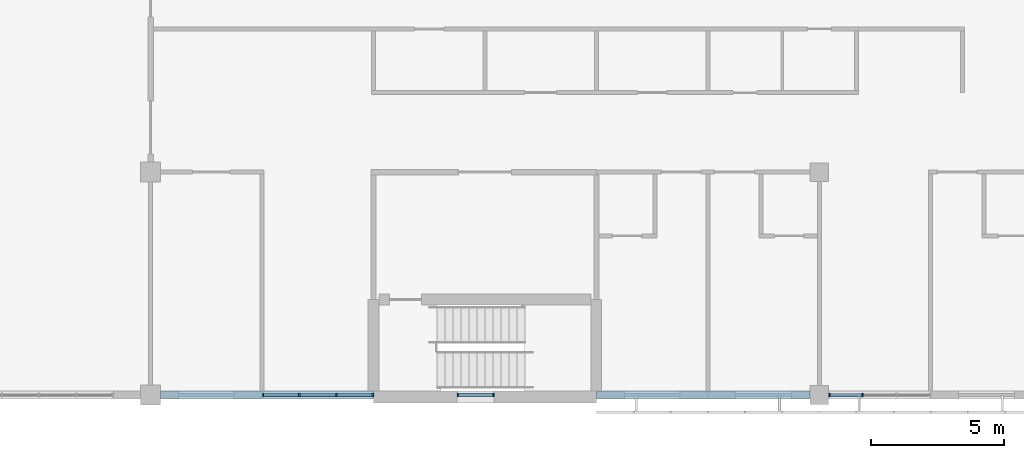
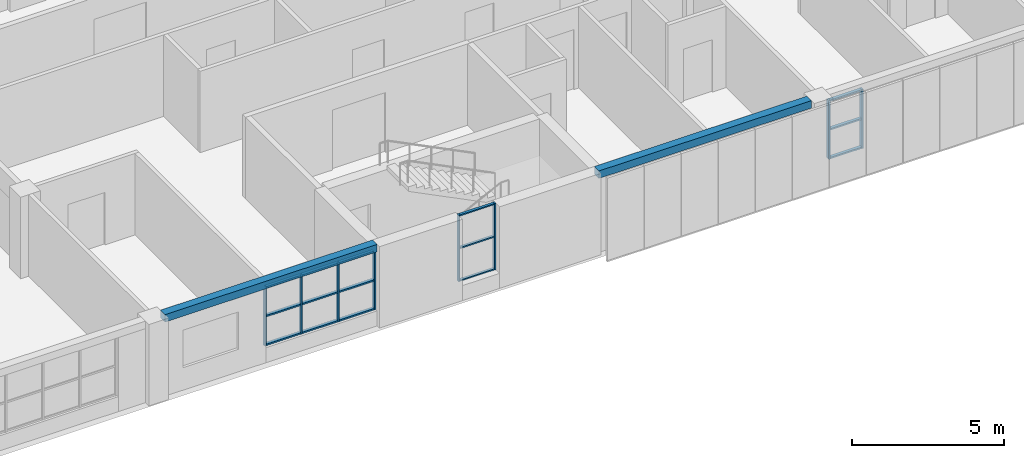
# One storey, part 15 of 45: 23 members, 2 beams, 3 elements without a shape of their own.
"""IFC4 building model written with IfcOpenShell, lengths in metres."""

from ifc_helpers import new_model, si_unit, direction, frame, origin, origin_2d, place, context, subcontext, project, spatial, rectangle, extrude, material, material_profile, profile_set, type_object, element, aggregate, save


model = new_model("IFC4")

# Units and contexts
model_context = context("Model", 3, precision=1e-05, world=origin(), true_north=direction((0.0, 1.0)))
body_context = subcontext(model_context, "Body", "Model", "MODEL_VIEW")
ifc_project = project(units=[si_unit("LENGTHUNIT", "METRE"), si_unit("AREAUNIT", "SQUARE_METRE"), si_unit("VOLUMEUNIT", "CUBIC_METRE"), si_unit("PLANEANGLEUNIT", "RADIAN"), si_unit("MASSUNIT", "GRAM", prefix="KILO")], contexts=[model_context])

# Site, building, storey
site_placement = place(None, origin())
site = spatial("IfcSite", under=ifc_project, at=site_placement, CompositionType="ELEMENT")
building_placement = place(site_placement, origin())
building = spatial("IfcBuilding", under=site, at=building_placement, Name="Yavir Park General Hospital", CompositionType="ELEMENT")
storey_placement = place(building_placement, frame((0.0, 0.0, 22.5)))
storey = spatial("IfcBuildingStorey", under=building, at=storey_placement, Name="L05", CompositionType="ELEMENT", Elevation=22.5)

# Curtain wall, members
ifc_material_1 = material(Name="Aluminium curtain wall frame with insulated glazing", Category="aluminium")
curtain_wall_type_1 = type_object("IfcCurtainWallType", Name="Day room pocket glazing, ward floors, 2360 high, 1400 module", PredefinedType="NOTDEFINED", material=ifc_material_1)
curtain_wall_1_placement = place(storey_placement, origin())
curtain_wall_1 = element("IfcCurtainWall", 1, at=curtain_wall_1_placement, inside=storey, type_object=curtain_wall_type_1, Name="CW6 L05-007", PredefinedType="NOTDEFINED")
ifc_material_2 = material(Name="Aluminium", Category="aluminium")
ifc_material_profile_1 = material_profile(ifc_material_2, rectangle(XDim=0.139892578125, YDim=0.06005859375, at=origin_2d()), Name="AL 60x140")
ifc_profile_set_1 = profile_set([ifc_material_profile_1], Name="Aluminium")
member_type_1 = type_object("IfcMemberType", Name="Day room pocket glazing, ward floors, 2360 high mullion 60 x 140", PredefinedType="MULLION", material=ifc_profile_set_1)
member_1_placement = place(storey_placement, frame((130.22998046875, 0.0, 0.60009765625), z_axis=(0.0, 0.0, 1.0), x_axis=(0.0, 1.0, 0.0)))
member_1 = element("IfcMember", 2, at=member_1_placement, type_object=member_type_1, Name="CW6 mullion 1", PredefinedType="MULLION", context=body_context, shape_type="SweptSolid", body=[
    extrude(rectangle(XDim=0.139892578125, YDim=0.06005859375, at=origin_2d()), origin(), (0.0, 0.0, 1.0), 2.35986328125),
])
member_2_placement = place(storey_placement, frame((131.60009765625, 0.0, 0.60009765625), z_axis=(0.0, 0.0, 1.0), x_axis=(0.0, 1.0, 0.0)))
member_2 = element("IfcMember", 3, at=member_2_placement, type_object=member_type_1, Name="CW6 mullion 2", PredefinedType="MULLION", context=body_context, shape_type="SweptSolid", body=[
    extrude(rectangle(XDim=0.139892578125, YDim=0.06005859375, at=origin_2d()), origin(), (0.0, 0.0, 1.0), 2.35986328125),
])
member_3_placement = place(storey_placement, frame((133.0, 0.0, 0.60009765625), z_axis=(0.0, 0.0, 1.0), x_axis=(0.0, 1.0, 0.0)))
member_3 = element("IfcMember", 4, at=member_3_placement, type_object=member_type_1, Name="CW6 mullion 3", PredefinedType="MULLION", context=body_context, shape_type="SweptSolid", body=[
    extrude(rectangle(XDim=0.139892578125, YDim=0.06005859375, at=origin_2d()), origin(), (0.0, 0.0, 1.0), 2.35986328125),
])
member_4_placement = place(storey_placement, frame((134.3701171875, 0.0, 0.60009765625), z_axis=(0.0, 0.0, 1.0), x_axis=(0.0, 1.0, 0.0)))
member_4 = element("IfcMember", 5, at=member_4_placement, type_object=member_type_1, Name="CW6 mullion 4", PredefinedType="MULLION", context=body_context, shape_type="SweptSolid", body=[
    extrude(rectangle(XDim=0.139892578125, YDim=0.06005859375, at=origin_2d()), origin(), (0.0, 0.0, 1.0), 2.35986328125),
])

curtain_wall_2_placement = place(storey_placement, origin())
curtain_wall_2 = element("IfcCurtainWall", 6, at=curtain_wall_2_placement, inside=storey, type_object=curtain_wall_type_1, Name="CW6 L05-009", PredefinedType="NOTDEFINED")
member_5_placement = place(storey_placement, frame((151.580078125, 0.0, 0.60009765625), z_axis=(0.0, 0.0, 1.0), x_axis=(0.0, 1.0, 0.0)))
member_5 = element("IfcMember", 7, at=member_5_placement, type_object=member_type_1, Name="CW6 mullion 1", PredefinedType="MULLION", context=body_context, shape_type="SweptSolid", body=[
    extrude(rectangle(XDim=0.139892578125, YDim=0.06005859375, at=origin_2d()), origin(), (0.0, 0.0, 1.0), 2.35986328125),
])
member_6_placement = place(storey_placement, frame((152.833251953125, 0.0, 0.60009765625), z_axis=(0.0, 0.0, 1.0), x_axis=(0.0, 1.0, 0.0)))
member_6 = element("IfcMember", 8, at=member_6_placement, type_object=member_type_1, Name="CW6 mullion 2", PredefinedType="MULLION", context=body_context, shape_type="SweptSolid", body=[
    extrude(rectangle(XDim=0.139892578125, YDim=0.06005859375, at=origin_2d()), origin(), (0.0, 0.0, 1.0), 2.35986328125),
])

# Member
ifc_material_3 = material(Name="Aluminium", Category="aluminium")
ifc_material_profile_2 = material_profile(ifc_material_3, rectangle(XDim=0.1201171875, YDim=0.06005859375, at=origin_2d()), Name="AL 120x60")
ifc_profile_set_2 = profile_set([ifc_material_profile_2], Name="Aluminium")
member_type_2 = type_object("IfcMemberType", Name="Day room pocket glazing, ward floors, 2360 high transom 60 x 120", PredefinedType="MULLION", material=ifc_profile_set_2)
member_7_placement = place(storey_placement, frame((130.260009765625, 0.0, 0.6298828125), z_axis=(1.0, 0.0, 0.0), x_axis=(0.0, 1.0, 0.0)))
member_7 = element("IfcMember", 9, at=member_7_placement, type_object=member_type_2, Name="CW6 transom 1.1", PredefinedType="MULLION", context=body_context, shape_type="SweptSolid", body=[
    extrude(rectangle(XDim=0.1201171875, YDim=0.06005859375, at=origin_2d()), origin(), (0.0, 0.0, 1.0), 1.31005859375),
])

member_8_placement = place(storey_placement, frame((130.260009765625, 0.0, 1.780029296875), z_axis=(1.0, 0.0, 0.0), x_axis=(0.0, 1.0, 0.0)))
member_8 = element("IfcMember", 10, at=member_8_placement, type_object=member_type_2, Name="CW6 transom 1.2", PredefinedType="MULLION", context=body_context, shape_type="SweptSolid", body=[
    extrude(rectangle(XDim=0.1201171875, YDim=0.06005859375, at=origin_2d()), origin(), (0.0, 0.0, 1.0), 1.31005859375),
])

member_9_placement = place(storey_placement, frame((130.260009765625, 0.0, 2.929931640625), z_axis=(1.0, 0.0, 0.0), x_axis=(0.0, 1.0, 0.0)))
member_9 = element("IfcMember", 11, at=member_9_placement, type_object=member_type_2, Name="CW6 transom 1.3", PredefinedType="MULLION", context=body_context, shape_type="SweptSolid", body=[
    extrude(rectangle(XDim=0.1201171875, YDim=0.06005859375, at=origin_2d()), origin(), (0.0, 0.0, 1.0), 1.31005859375),
])

member_10_placement = place(storey_placement, frame((131.6298828125, 0.0, 0.6298828125), z_axis=(1.0, 0.0, 0.0), x_axis=(0.0, 1.0, 0.0)))
member_10 = element("IfcMember", 12, at=member_10_placement, type_object=member_type_2, Name="CW6 transom 2.1", PredefinedType="MULLION", context=body_context, shape_type="SweptSolid", body=[
    extrude(rectangle(XDim=0.1201171875, YDim=0.06005859375, at=origin_2d()), origin(), (0.0, 0.0, 1.0), 1.340087890625),
])

member_11_placement = place(storey_placement, frame((131.6298828125, 0.0, 1.780029296875), z_axis=(1.0, 0.0, 0.0), x_axis=(0.0, 1.0, 0.0)))
member_11 = element("IfcMember", 13, at=member_11_placement, type_object=member_type_2, Name="CW6 transom 2.2", PredefinedType="MULLION", context=body_context, shape_type="SweptSolid", body=[
    extrude(rectangle(XDim=0.1201171875, YDim=0.06005859375, at=origin_2d()), origin(), (0.0, 0.0, 1.0), 1.340087890625),
])

member_12_placement = place(storey_placement, frame((131.6298828125, 0.0, 2.929931640625), z_axis=(1.0, 0.0, 0.0), x_axis=(0.0, 1.0, 0.0)))
member_12 = element("IfcMember", 14, at=member_12_placement, type_object=member_type_2, Name="CW6 transom 2.3", PredefinedType="MULLION", context=body_context, shape_type="SweptSolid", body=[
    extrude(rectangle(XDim=0.1201171875, YDim=0.06005859375, at=origin_2d()), origin(), (0.0, 0.0, 1.0), 1.340087890625),
])

member_13_placement = place(storey_placement, frame((133.030029296875, 0.0, 0.6298828125), z_axis=(1.0, 0.0, 0.0), x_axis=(0.0, 1.0, 0.0)))
member_13 = element("IfcMember", 15, at=member_13_placement, type_object=member_type_2, Name="CW6 transom 3.1", PredefinedType="MULLION", context=body_context, shape_type="SweptSolid", body=[
    extrude(rectangle(XDim=0.1201171875, YDim=0.06005859375, at=origin_2d()), origin(), (0.0, 0.0, 1.0), 1.31005859375),
])

member_14_placement = place(storey_placement, frame((133.030029296875, 0.0, 1.780029296875), z_axis=(1.0, 0.0, 0.0), x_axis=(0.0, 1.0, 0.0)))
member_14 = element("IfcMember", 16, at=member_14_placement, type_object=member_type_2, Name="CW6 transom 3.2", PredefinedType="MULLION", context=body_context, shape_type="SweptSolid", body=[
    extrude(rectangle(XDim=0.1201171875, YDim=0.06005859375, at=origin_2d()), origin(), (0.0, 0.0, 1.0), 1.31005859375),
])

member_15_placement = place(storey_placement, frame((133.030029296875, 0.0, 2.929931640625), z_axis=(1.0, 0.0, 0.0), x_axis=(0.0, 1.0, 0.0)))
member_15 = element("IfcMember", 17, at=member_15_placement, type_object=member_type_2, Name="CW6 transom 3.3", PredefinedType="MULLION", context=body_context, shape_type="SweptSolid", body=[
    extrude(rectangle(XDim=0.1201171875, YDim=0.06005859375, at=origin_2d()), origin(), (0.0, 0.0, 1.0), 1.31005859375),
])

aggregate(curtain_wall_1, [member_1, member_2, member_3, member_4, member_7, member_8, member_9, member_10, member_11, member_12, member_13, member_14, member_15])

member_16_placement = place(storey_placement, frame((151.610107421875, 0.0, 0.6298828125), z_axis=(1.0, 0.0, 0.0), x_axis=(0.0, 1.0, 0.0)))
member_16 = element("IfcMember", 18, at=member_16_placement, type_object=member_type_2, Name="CW6 transom 1.1", PredefinedType="MULLION", context=body_context, shape_type="SweptSolid", body=[
    extrude(rectangle(XDim=0.1201171875, YDim=0.06005859375, at=origin_2d()), origin(), (0.0, 0.0, 1.0), 1.193115234375),
])

member_17_placement = place(storey_placement, frame((151.610107421875, 0.0, 1.780029296875), z_axis=(1.0, 0.0, 0.0), x_axis=(0.0, 1.0, 0.0)))
member_17 = element("IfcMember", 19, at=member_17_placement, type_object=member_type_2, Name="CW6 transom 1.2", PredefinedType="MULLION", context=body_context, shape_type="SweptSolid", body=[
    extrude(rectangle(XDim=0.1201171875, YDim=0.06005859375, at=origin_2d()), origin(), (0.0, 0.0, 1.0), 1.193115234375),
])

member_18_placement = place(storey_placement, frame((151.610107421875, 0.0, 2.929931640625), z_axis=(1.0, 0.0, 0.0), x_axis=(0.0, 1.0, 0.0)))
member_18 = element("IfcMember", 20, at=member_18_placement, type_object=member_type_2, Name="CW6 transom 1.3", PredefinedType="MULLION", context=body_context, shape_type="SweptSolid", body=[
    extrude(rectangle(XDim=0.1201171875, YDim=0.06005859375, at=origin_2d()), origin(), (0.0, 0.0, 1.0), 1.193115234375),
])

aggregate(curtain_wall_2, [member_5, member_6, member_16, member_17, member_18])

# Beams
ifc_material_4 = material(Name="Concrete C35/45", Category="concrete")
ifc_material_profile_3 = material_profile(ifc_material_4, rectangle(XDim=0.300048828125, YDim=0.300048828125, at=origin_2d()), Name="RC300x300")
ifc_profile_set_3 = profile_set([ifc_material_profile_3], Name="Concrete C35/45")
beam_type = type_object("IfcBeamType", Name="RC BEAM 300x300 edge beam", PredefinedType="BEAM", material=ifc_profile_set_3)
beam_1_placement = place(storey_placement, frame((126.375, 0.0, 3.110107421875), z_axis=(1.0, 0.0, 0.0), x_axis=(0.0, 1.0, 0.0)))
element("IfcBeam", 21, at=beam_1_placement, inside=storey, type_object=beam_type, Name="B:EDGE:L05:007", PredefinedType="BEAM", context=body_context, shape_type="SweptSolid", body=[
    extrude(rectangle(XDim=0.300048828125, YDim=0.300048828125, at=origin_2d()), origin(), (0.0, 0.0, 1.0), 8.02490234375),
])
beam_2_placement = place(storey_placement, frame((142.800048828125, 0.0, 3.110107421875), z_axis=(1.0, 0.0, 0.0), x_axis=(0.0, 1.0, 0.0)))
element("IfcBeam", 22, at=beam_2_placement, inside=storey, type_object=beam_type, Name="B:EDGE:L05:008", PredefinedType="BEAM", context=body_context, shape_type="SweptSolid", body=[
    extrude(rectangle(XDim=0.300048828125, YDim=0.300048828125, at=origin_2d()), origin(), (0.0, 0.0, 1.0), 8.050048828125),
])

# Curtain wall, members
ifc_material_5 = material(Name="Aluminium curtain wall frame with insulated glazing", Category="aluminium")
curtain_wall_type_2 = type_object("IfcCurtainWallType", Name="Stair light slot, ward floors, 2660 high, 1400 module", PredefinedType="NOTDEFINED", material=ifc_material_5)
curtain_wall_3_placement = place(storey_placement, origin())
curtain_wall_3 = element("IfcCurtainWall", 23, at=curtain_wall_3_placement, inside=storey, type_object=curtain_wall_type_2, Name="CW10 L05-008", PredefinedType="NOTDEFINED")
ifc_material_6 = material(Name="Aluminium", Category="aluminium")
ifc_material_profile_4 = material_profile(ifc_material_6, rectangle(XDim=0.1201171875, YDim=0.050048828125, at=origin_2d()), Name="AL 50x120")
ifc_profile_set_4 = profile_set([ifc_material_profile_4], Name="Aluminium")
member_type_3 = type_object("IfcMemberType", Name="Stair light slot, ward floors, 2660 high mullion 50 x 120", PredefinedType="MULLION", material=ifc_profile_set_4)
member_19_placement = place(storey_placement, frame((137.574951171875, 0.0, 0.60009765625), z_axis=(0.0, 0.0, 1.0), x_axis=(0.0, 1.0, 0.0)))
member_19 = element("IfcMember", 24, at=member_19_placement, type_object=member_type_3, Name="CW10 mullion 1", PredefinedType="MULLION", context=body_context, shape_type="SweptSolid", body=[
    extrude(rectangle(XDim=0.1201171875, YDim=0.050048828125, at=origin_2d()), origin(), (0.0, 0.0, 1.0), 2.659912109375),
])
member_20_placement = place(storey_placement, frame((138.925048828125, 0.0, 0.60009765625), z_axis=(0.0, 0.0, 1.0), x_axis=(0.0, 1.0, 0.0)))
member_20 = element("IfcMember", 25, at=member_20_placement, type_object=member_type_3, Name="CW10 mullion 2", PredefinedType="MULLION", context=body_context, shape_type="SweptSolid", body=[
    extrude(rectangle(XDim=0.1201171875, YDim=0.050048828125, at=origin_2d()), origin(), (0.0, 0.0, 1.0), 2.659912109375),
])
ifc_material_7 = material(Name="Aluminium", Category="aluminium")
ifc_material_profile_5 = material_profile(ifc_material_7, rectangle(XDim=0.10009765625, YDim=0.050048828125, at=origin_2d()), Name="AL 100x50")
ifc_profile_set_5 = profile_set([ifc_material_profile_5], Name="Aluminium")
member_type_4 = type_object("IfcMemberType", Name="Stair light slot, ward floors, 2660 high transom 50 x 100", PredefinedType="MULLION", material=ifc_profile_set_5)
member_21_placement = place(storey_placement, frame((137.60009765625, 0.0, 0.625), z_axis=(1.0, 0.0, 0.0), x_axis=(0.0, 1.0, 0.0)))
member_21 = element("IfcMember", 26, at=member_21_placement, type_object=member_type_4, Name="CW10 transom 1.1", PredefinedType="MULLION", context=body_context, shape_type="SweptSolid", body=[
    extrude(rectangle(XDim=0.10009765625, YDim=0.050048828125, at=origin_2d()), origin(), (0.0, 0.0, 1.0), 1.2998046875),
])
member_22_placement = place(storey_placement, frame((137.60009765625, 0.0, 1.929931640625), z_axis=(1.0, 0.0, 0.0), x_axis=(0.0, 1.0, 0.0)))
member_22 = element("IfcMember", 27, at=member_22_placement, type_object=member_type_4, Name="CW10 transom 1.2", PredefinedType="MULLION", context=body_context, shape_type="SweptSolid", body=[
    extrude(rectangle(XDim=0.10009765625, YDim=0.050048828125, at=origin_2d()), origin(), (0.0, 0.0, 1.0), 1.2998046875),
])
member_23_placement = place(storey_placement, frame((137.60009765625, 0.0, 3.235107421875), z_axis=(1.0, 0.0, 0.0), x_axis=(0.0, 1.0, 0.0)))
member_23 = element("IfcMember", 28, at=member_23_placement, type_object=member_type_4, Name="CW10 transom 1.3", PredefinedType="MULLION", context=body_context, shape_type="SweptSolid", body=[
    extrude(rectangle(XDim=0.10009765625, YDim=0.050048828125, at=origin_2d()), origin(), (0.0, 0.0, 1.0), 1.2998046875),
])
aggregate(curtain_wall_3, [member_19, member_20, member_21, member_22, member_23])

save(model, "model.ifc")
